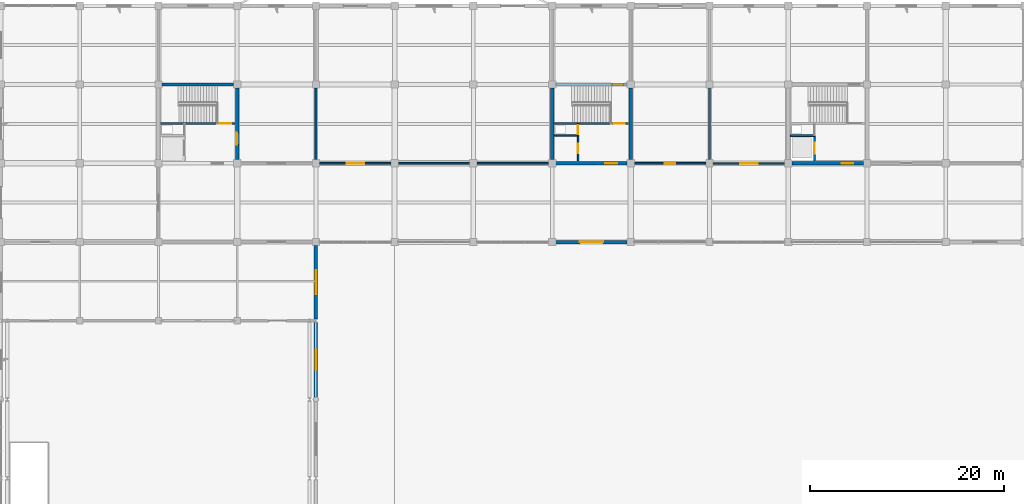
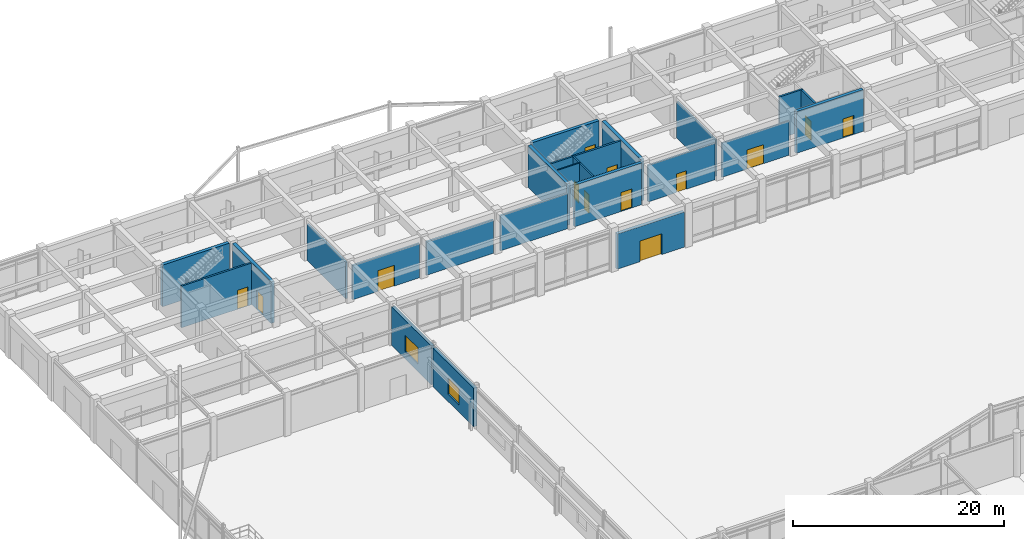
# One storey, part 66 of 99: 24 walls, 13 doors, 2 windows, 15 openings.
"""IFC4 building model written with IfcOpenShell, lengths in metres."""

from ifc_helpers import new_model, si_unit, direction, frame, frame_2d, origin, place, context, subcontext, project, spatial, rectangle, extrude, material, layer, layer_set, type_object, element, fill, save


model = new_model("IFC4")

# Units and contexts
model_context = context("Model", 3, precision=1e-05, world=origin(), true_north=direction((0.0, 1.0)))
body_context = subcontext(model_context, "Body", "Model", "MODEL_VIEW")
ifc_project = project(units=[si_unit("LENGTHUNIT", "METRE"), si_unit("AREAUNIT", "SQUARE_METRE"), si_unit("VOLUMEUNIT", "CUBIC_METRE"), si_unit("PLANEANGLEUNIT", "RADIAN"), si_unit("MASSUNIT", "GRAM", prefix="KILO")], contexts=[model_context])

# Site, building, storey
site_placement = place(None, origin())
site = spatial("IfcSite", under=ifc_project, at=site_placement, CompositionType="ELEMENT")
building_placement = place(site_placement, origin())
building = spatial("IfcBuilding", under=site, at=building_placement, Name="Vaudrelin Polytechnic", CompositionType="ELEMENT")
storey_placement = place(building_placement, origin())
storey = spatial("IfcBuildingStorey", under=building, at=storey_placement, Name="L00", CompositionType="ELEMENT", Elevation=0.0)

# Wall, opening, door
ifc_material_1 = material(Name="Precast concrete 35 MPa with standing-seam zinc rainscreen", Category="concrete")
ifc_layer_1 = layer(ifc_material_1, 0.360107421875)
ifc_layer_set_1 = layer_set([ifc_layer_1], Name="Precast concrete 35 MPa with standing-seam zinc rainscreen")
wall_type_1 = type_object("IfcWallType", Name="WAL-EW-ZINC360", PredefinedType="STANDARD", material=ifc_layer_set_1)
wall_1_placement = place(storey_placement, frame((57.072998046875, 97.199951171875, 0.0), z_axis=(0.0, 0.0, 1.0), x_axis=(1.0, 0.0, 0.0)))
wall_1 = element("IfcWall", 1, at=wall_1_placement, inside=storey, type_object=wall_type_1, Name="Exterior wall L00 CT_N_03", PredefinedType="STANDARD", context=body_context, shape_type="SweptSolid", body=[
    extrude(rectangle(XDim=7.35400390625, YDim=0.360107421875, at=frame_2d((3.677001953125, 0.0))), origin(), (0.0, 0.0, 1.0), 4.072021484375),
])
opening_1_placement = place(wall_1_placement, frame((4.876953125, 0.0, 0.0), z_axis=(0.0, 0.0, 1.0), x_axis=(-1.0, 0.0, 0.0)))
opening_1 = element("IfcOpeningElement", 2, at=opening_1_placement, cuts=wall_1, Name="Opening ED-00-13", PredefinedType="OPENING", context=body_context, shape_type="SweptSolid", body=[
    extrude(rectangle(XDim=2.39990234375, YDim=2.39990234375, at=frame_2d((1.199951171875, 1.199951171875))), frame((0.0, 0.18994140625, 0.0), z_axis=(0.0, -1.0, 0.0), x_axis=(1.0, 0.0, 0.0)), (0.0, 0.0, 1.0), 0.380126953125),
])
ifc_material_2 = material(Name="Thermally broken anodised aluminium AA 6063-T6", Category="aluminium")
door_type_1 = type_object("IfcDoorType", Name="DOR-ED-01", OperationType="DOUBLE_SWING_LEFT", PredefinedType="DOOR", material=ifc_material_2)
door_1_placement = place(opening_1_placement, origin())
door_1 = element("IfcDoor", 3, at=door_1_placement, inside=storey, type_object=door_type_1, Name="Exterior exit door ED-00-13", OperationType="DOUBLE_SWING_LEFT", OverallHeight=2.39990234375, OverallWidth=2.39990234375, PredefinedType="DOOR", context=body_context, shape_type="SweptSolid", body=[
    extrude(rectangle(XDim=2.39990234375, YDim=2.39990234375, at=frame_2d((1.199951171875, 1.199951171875))), frame((0.0, 0.02490234375, 0.0), z_axis=(0.0, -1.0, 0.0), x_axis=(1.0, 0.0, 0.0)), (0.0, 0.0, 1.0), 0.050048828125),
])
fill(opening_1, door_1)

# Wall, opening, window
wall_2_placement = place(storey_placement, frame((32.39990234375, 81.251953125, 0.0), z_axis=(0.0, 0.0, 1.0), x_axis=(0.0, 1.0, 0.0)))
wall_2 = element("IfcWall", 4, at=wall_2_placement, inside=storey, type_object=wall_type_1, Name="Exterior wall L00 CT_W_04", PredefinedType="STANDARD", context=body_context, shape_type="SweptSolid", body=[
    extrude(rectangle(XDim=7.673583984375, YDim=0.360107421875, at=frame_2d((3.8369140625, 0.0))), origin(), (0.0, 0.0, 1.0), 4.464111328125),
])
opening_2_placement = place(wall_2_placement, frame((2.786865234375, 0.0, 0.85009765625)))
opening_2 = element("IfcOpeningElement", 5, at=opening_2_placement, cuts=wall_2, Name="Opening W-L00-CT-W-05", PredefinedType="OPENING", context=body_context, shape_type="SweptSolid", body=[
    extrude(rectangle(XDim=2.10009765625, YDim=1.89990234375, at=frame_2d((1.050048828125, 0.949951171875))), frame((0.0, 0.18994140625, 0.0), z_axis=(0.0, -1.0, 0.0), x_axis=(1.0, 0.0, 0.0)), (0.0, 0.0, 1.0), 0.380126953125),
])
ifc_material_3 = material(Name="Thermally broken aluminium frame with triple low-e glazing", Category="aluminium")
window_type_1 = type_object("IfcWindowType", Name="WIN-WN-26", PartitioningType="SINGLE_PANEL", PredefinedType="WINDOW", material=ifc_material_3)
window_1_placement = place(opening_2_placement, origin())
window_1 = element("IfcWindow", 6, at=window_1_placement, inside=storey, type_object=window_type_1, Name="Facade window L00-CT_W_04", OverallHeight=1.89990234375, OverallWidth=2.10009765625, PartitioningType="SINGLE_PANEL", PredefinedType="WINDOW", context=body_context, shape_type="SweptSolid", body=[
    extrude(rectangle(XDim=2.10009765625, YDim=1.89990234375, at=frame_2d((1.050048828125, 0.949951171875))), frame((0.0, 0.030029296875, 0.0), z_axis=(0.0, -1.0, 0.0), x_axis=(1.0, 0.0, 0.0)), (0.0, 0.0, 1.0), 0.06005859375),
])
fill(opening_2, window_1)

wall_3_placement = place(storey_placement, frame((32.39990234375, 89.2744140625, 0.0), z_axis=(0.0, 0.0, 1.0), x_axis=(0.0, 1.0, 0.0)))
wall_3 = element("IfcWall", 7, at=wall_3_placement, inside=storey, type_object=wall_type_1, Name="Exterior wall L00 CT_W_05", PredefinedType="STANDARD", context=body_context, shape_type="SweptSolid", body=[
    extrude(rectangle(XDim=7.552490234375, YDim=0.360107421875, at=frame_2d((3.7763671875, 0.0))), origin(), (0.0, 0.0, 1.0), 4.486083984375),
])
opening_3_placement = place(wall_3_placement, frame((2.526123046875, 0.0, 0.85009765625)))
opening_3 = element("IfcOpeningElement", 8, at=opening_3_placement, cuts=wall_3, Name="Opening W-L00-CT-W-06", PredefinedType="OPENING", context=body_context, shape_type="SweptSolid", body=[
    extrude(rectangle(XDim=2.5, YDim=1.89990234375, at=frame_2d((1.25, 0.949951171875))), frame((0.0, 0.18994140625, 0.0), z_axis=(0.0, -1.0, 0.0), x_axis=(1.0, 0.0, 0.0)), (0.0, 0.0, 1.0), 0.380126953125),
])
window_type_2 = type_object("IfcWindowType", Name="WIN-WN-27", PartitioningType="SINGLE_PANEL", PredefinedType="WINDOW", material=ifc_material_3)
window_2_placement = place(opening_3_placement, origin())
window_2 = element("IfcWindow", 9, at=window_2_placement, inside=storey, type_object=window_type_2, Name="Facade window L00-CT_W_05", OverallHeight=1.89990234375, OverallWidth=2.5, PartitioningType="SINGLE_PANEL", PredefinedType="WINDOW", context=body_context, shape_type="SweptSolid", body=[
    extrude(rectangle(XDim=2.5, YDim=1.89990234375, at=frame_2d((1.25, 0.949951171875))), frame((0.0, 0.030029296875, 0.0), z_axis=(0.0, -1.0, 0.0), x_axis=(1.0, 0.0, 0.0)), (0.0, 0.0, 1.0), 0.06005859375),
])
fill(opening_3, window_2)

# Wall, opening, door
ifc_material_4 = material(Name="Acoustic double-stud gypsum & mineral-wool partition", Category="gypsum")
ifc_layer_2 = layer(ifc_material_4, 0.179931640625)
ifc_layer_set_2 = layer_set([ifc_layer_2], Name="Acoustic double-stud gypsum & mineral-wool partition")
wall_type_2 = type_object("IfcWallType", Name="WAL-PW-AC180", PredefinedType="PARTITIONING", material=ifc_layer_set_2)
wall_4_placement = place(storey_placement, frame((65.173095703125, 105.300048828125, 0.0), z_axis=(0.0, 0.0, 1.0), x_axis=(1.0, 0.0, 0.0)))
wall_4 = element("IfcWall", 10, at=wall_4_placement, inside=storey, type_object=wall_type_2, Name="Partition L00-017 S", PredefinedType="PARTITIONING", context=body_context, shape_type="SweptSolid", body=[
    extrude(rectangle(XDim=7.35400390625, YDim=0.179931640625, at=frame_2d((3.677001953125, 0.0))), origin(), (0.0, 0.0, 1.0), 4.221923828125),
])
opening_4_placement = place(wall_4_placement, frame((3.136962890625, 0.0, 0.0)))
opening_4 = element("IfcOpeningElement", 11, at=opening_4_placement, cuts=wall_4, Name="Opening D-L00-432", PredefinedType="OPENING", context=body_context, shape_type="SweptSolid", body=[
    extrude(rectangle(XDim=1.080078125, YDim=2.14990234375, at=frame_2d((0.5400390625, 1.074951171875))), frame((0.0, 0.10009765625, 0.0), z_axis=(0.0, -1.0, 0.0), x_axis=(1.0, 0.0, 0.0)), (0.0, 0.0, 1.0), 0.199951171875),
])
ifc_material_5 = material(Name="Solid-core birch veneer acoustic leaf", Category="wood")
door_type_2 = type_object("IfcDoorType", Name="DOR-ID-SEM2", OperationType="NOTDEFINED", PredefinedType="DOOR", material=ifc_material_5)
door_2_placement = place(opening_4_placement, origin())
door_2 = element("IfcDoor", 12, at=door_2_placement, inside=storey, type_object=door_type_2, Name="Seminar Room 001 door L00-017", OperationType="SINGLE_SWING_RIGHT", OverallHeight=2.14990234375, OverallWidth=1.080078125, PredefinedType="DOOR", context=body_context, shape_type="SweptSolid", body=[
    extrude(rectangle(XDim=1.080078125, YDim=2.14990234375, at=frame_2d((0.5400390625, 1.074951171875))), frame((0.0, 0.02490234375, 0.0), z_axis=(0.0, -1.0, 0.0), x_axis=(1.0, 0.0, 0.0)), (0.0, 0.0, 1.0), 0.050048828125),
])
fill(opening_4, door_2)

# Wall
wall_5_placement = place(storey_placement, frame((72.89990234375, 105.673095703125, 0.0), z_axis=(0.0, 0.0, 1.0), x_axis=(0.0, 1.0, 0.0)))
element("IfcWall", 13, at=wall_5_placement, inside=storey, type_object=wall_type_2, Name="Partition L00-017 E", PredefinedType="PARTITIONING", context=body_context, shape_type="SweptSolid", body=[
    extrude(rectangle(XDim=7.35400390625, YDim=0.179931640625, at=frame_2d((3.677001953125, 0.0))), origin(), (0.0, 0.0, 1.0), 4.221923828125),
])

# Wall, opening, door
ifc_material_6 = material(Name="Concrete masonry unit 20 MPa shaft & corridor fire wall", Category="masonry")
ifc_layer_3 = layer(ifc_material_6, 0.199951171875)
ifc_layer_set_3 = layer_set([ifc_layer_3], Name="Concrete masonry unit 20 MPa shaft & corridor fire wall")
wall_type_3 = type_object("IfcWallType", Name="WAL-PW-FIRE120", PredefinedType="PARTITIONING", material=ifc_layer_set_3)
wall_6_placement = place(storey_placement, frame((32.77294921875, 105.300048828125, 0.0), z_axis=(0.0, 0.0, 1.0), x_axis=(1.0, 0.0, 0.0)))
wall_6 = element("IfcWall", 14, at=wall_6_placement, inside=storey, type_object=wall_type_3, Name="Partition L00-015 S", PredefinedType="PARTITIONING", context=body_context, shape_type="SweptSolid", body=[
    extrude(rectangle(XDim=7.35400390625, YDim=0.199951171875, at=frame_2d((3.677001953125, 0.0))), origin(), (0.0, 0.0, 1.0), 3.971923828125),
])
opening_5_placement = place(wall_6_placement, frame((2.777099609375, 0.0, 0.0)))
opening_5 = element("IfcOpeningElement", 15, at=opening_5_placement, cuts=wall_6, Name="Opening D-L00-431", PredefinedType="OPENING", context=body_context, shape_type="SweptSolid", body=[
    extrude(rectangle(XDim=1.800048828125, YDim=2.39990234375, at=frame_2d((0.89990234375, 1.199951171875))), frame((0.0, 0.10986328125, 0.0), z_axis=(0.0, -1.0, 0.0), x_axis=(1.0, 0.0, 0.0)), (0.0, 0.0, 1.0), 0.219970703125),
])
ifc_material_7 = material(Name="Pressed galvanised steel acoustic leaf", Category="steel")
door_type_3 = type_object("IfcDoorType", Name="DOR-ID-WK1", OperationType="NOTDEFINED", PredefinedType="DOOR", material=ifc_material_7)
door_3_placement = place(opening_5_placement, origin())
door_3 = element("IfcDoor", 16, at=door_3_placement, inside=storey, type_object=door_type_3, Name="Timber and Composites Prototyping Workshop door L00-015", OperationType="DOUBLE_SWING_LEFT", OverallHeight=2.39990234375, OverallWidth=1.800048828125, PredefinedType="DOOR", context=body_context, shape_type="SweptSolid", body=[
    extrude(rectangle(XDim=1.800048828125, YDim=2.39990234375, at=frame_2d((0.89990234375, 1.199951171875))), frame((0.0, 0.02490234375, 0.0), z_axis=(0.0, -1.0, 0.0), x_axis=(1.0, 0.0, 0.0)), (0.0, 0.0, 1.0), 0.050048828125),
])
fill(opening_5, door_3)

# Walls
wall_7_placement = place(storey_placement, frame((40.873046875, 105.300048828125, 0.0), z_axis=(0.0, 0.0, 1.0), x_axis=(1.0, 0.0, 0.0)))
element("IfcWall", 17, at=wall_7_placement, inside=storey, type_object=wall_type_3, Name="Partition L00-015 S", PredefinedType="PARTITIONING", context=body_context, shape_type="SweptSolid", body=[
    extrude(rectangle(XDim=7.35400390625, YDim=0.199951171875, at=frame_2d((3.677001953125, 0.0))), origin(), (0.0, 0.0, 1.0), 3.8720703125),
])
wall_8_placement = place(storey_placement, frame((48.972900390625, 105.300048828125, 0.0), z_axis=(0.0, 0.0, 1.0), x_axis=(1.0, 0.0, 0.0)))
element("IfcWall", 18, at=wall_8_placement, inside=storey, type_object=wall_type_3, Name="Partition L00-015 S", PredefinedType="PARTITIONING", context=body_context, shape_type="SweptSolid", body=[
    extrude(rectangle(XDim=7.35400390625, YDim=0.199951171875, at=frame_2d((3.677001953125, 0.0))), origin(), (0.0, 0.0, 1.0), 4.072021484375),
])
wall_9_placement = place(storey_placement, frame((32.39990234375, 105.673095703125, 0.0), z_axis=(0.0, 0.0, 1.0), x_axis=(0.0, 1.0, 0.0)))
element("IfcWall", 19, at=wall_9_placement, inside=storey, type_object=wall_type_3, Name="Partition L00-015 W", PredefinedType="PARTITIONING", context=body_context, shape_type="SweptSolid", body=[
    extrude(rectangle(XDim=7.35400390625, YDim=0.199951171875, at=frame_2d((3.677001953125, 0.0))), origin(), (0.0, 0.0, 1.0), 4.221923828125),
])

# Wall, opening, door
ifc_material_8 = material(Name="Fire-rated steel-stud gypsum compartment wall", Category="steel")
ifc_layer_4 = layer(ifc_material_8, 0.14990234375)
ifc_layer_set_4 = layer_set([ifc_layer_4], Name="Fire-rated steel-stud gypsum compartment wall")
wall_type_4 = type_object("IfcWallType", Name="WAL-PW-FIRE60", PredefinedType="PARTITIONING", material=ifc_layer_set_4)
wall_10_placement = place(storey_placement, frame((59.3798828125, 108.14990234375, 0.0), z_axis=(0.0, 0.0, 1.0), x_axis=(0.0, 1.0, 0.0)))
wall_10 = element("IfcWall", 20, at=wall_10_placement, inside=storey, type_object=wall_type_4, Name="Core C9 riser enclosure wall L00", PredefinedType="PARTITIONING", context=body_context, shape_type="SweptSolid", body=[
    extrude(rectangle(XDim=1.260009765625, YDim=0.14990234375, at=frame_2d((0.6298828125, 0.0))), origin(), (0.0, 0.0, 1.0), 4.822021484375),
])
opening_6_placement = place(wall_10_placement, frame((0.139892578125, 0.0, 0.0)))
opening_6 = element("IfcOpeningElement", 21, at=opening_6_placement, cuts=wall_10, Name="Opening D-L00-181", PredefinedType="OPENING", context=body_context, shape_type="SweptSolid", body=[
    extrude(rectangle(XDim=0.89990234375, YDim=2.14990234375, at=frame_2d((0.449951171875, 1.074951171875))), frame((0.0, 0.0849609375, 0.0), z_axis=(0.0, -1.0, 0.0), x_axis=(1.0, 0.0, 0.0)), (0.0, 0.0, 1.0), 0.169921875),
])
door_type_4 = type_object("IfcDoorType", Name="DOR-ID-RSR1", OperationType="NOTDEFINED", PredefinedType="DOOR", material=ifc_material_7)
door_4_placement = place(opening_6_placement, origin())
door_4 = element("IfcDoor", 22, at=door_4_placement, inside=storey, type_object=door_type_4, Name="Core C9 riser access door L00", OperationType="SINGLE_SWING_RIGHT", OverallHeight=2.14990234375, OverallWidth=0.89990234375, PredefinedType="DOOR", context=body_context, shape_type="SweptSolid", body=[
    extrude(rectangle(XDim=0.89990234375, YDim=2.14990234375, at=frame_2d((0.449951171875, 1.074951171875))), frame((0.0, 0.02490234375, 0.0), z_axis=(0.0, -1.0, 0.0), x_axis=(1.0, 0.0, 0.0)), (0.0, 0.0, 1.0), 0.050048828125),
])
fill(opening_6, door_4)

# Wall
wall_11_placement = place(storey_placement, frame((56.919921875, 108.14990234375, 0.0), z_axis=(0.0, 0.0, 1.0), x_axis=(1.0, 0.0, 0.0)))
element("IfcWall", 23, at=wall_11_placement, inside=storey, type_object=wall_type_4, Name="Core C9 riser south fire wall L00", PredefinedType="PARTITIONING", context=body_context, shape_type="SweptSolid", body=[
    extrude(rectangle(XDim=2.530029296875, YDim=0.14990234375, at=frame_2d((1.26513671875, 0.0))), origin(), (0.0, 0.0, 1.0), 4.822021484375),
])

# Wall, opening, door
wall_12_placement = place(storey_placement, frame((59.3798828125, 105.550048828125, 0.0), z_axis=(0.0, 0.0, 1.0), x_axis=(0.0, 1.0, 0.0)))
wall_12 = element("IfcWall", 24, at=wall_12_placement, inside=storey, type_object=wall_type_4, Name="Core C9 custodial enclosure wall L00", PredefinedType="PARTITIONING", context=body_context, shape_type="SweptSolid", body=[
    extrude(rectangle(XDim=2.599853515625, YDim=0.14990234375, at=frame_2d((1.2998046875, 0.0))), origin(), (0.0, 0.0, 1.0), 4.822021484375),
])
opening_7_placement = place(wall_12_placement, frame((0.800048828125, 0.0, 0.0)))
opening_7 = element("IfcOpeningElement", 25, at=opening_7_placement, cuts=wall_12, Name="Opening D-L00-182", PredefinedType="OPENING", context=body_context, shape_type="SweptSolid", body=[
    extrude(rectangle(XDim=0.949951171875, YDim=2.14990234375, at=frame_2d((0.47509765625, 1.074951171875))), frame((0.0, 0.0849609375, 0.0), z_axis=(0.0, -1.0, 0.0), x_axis=(1.0, 0.0, 0.0)), (0.0, 0.0, 1.0), 0.169921875),
])
door_type_5 = type_object("IfcDoorType", Name="DOR-ID-STR1", OperationType="NOTDEFINED", PredefinedType="DOOR", material=ifc_material_7)
door_5_placement = place(opening_7_placement, origin())
door_5 = element("IfcDoor", 26, at=door_5_placement, inside=storey, type_object=door_type_5, Name="Core C9 custodial door L00", OperationType="SINGLE_SWING_RIGHT", OverallHeight=2.14990234375, OverallWidth=0.949951171875, PredefinedType="DOOR", context=body_context, shape_type="SweptSolid", body=[
    extrude(rectangle(XDim=0.949951171875, YDim=2.14990234375, at=frame_2d((0.47509765625, 1.074951171875))), frame((0.0, 0.02490234375, 0.0), z_axis=(0.0, -1.0, 0.0), x_axis=(1.0, 0.0, 0.0)), (0.0, 0.0, 1.0), 0.050048828125),
])
fill(opening_7, door_5)

wall_13_placement = place(storey_placement, frame((73.27294921875, 105.300048828125, 0.0), z_axis=(0.0, 0.0, 1.0), x_axis=(1.0, 0.0, 0.0)))
wall_13 = element("IfcWall", 27, at=wall_13_placement, inside=storey, type_object=wall_type_4, Name="Interior partition L00 9-13 to 10-13", PredefinedType="PARTITIONING", context=body_context, shape_type="SweptSolid", body=[
    extrude(rectangle(XDim=7.35400390625, YDim=0.14990234375, at=frame_2d((3.677001953125, 0.0))), origin(), (0.0, 0.0, 1.0), 3.971923828125),
])
opening_8_placement = place(wall_13_placement, frame((2.777099609375, 0.0, 0.0)))
opening_8 = element("IfcOpeningElement", 28, at=opening_8_placement, cuts=wall_13, Name="Opening D-L00-588", PredefinedType="OPENING", context=body_context, shape_type="SweptSolid", body=[
    extrude(rectangle(XDim=1.800048828125, YDim=2.199951171875, at=frame_2d((0.89990234375, 1.10009765625))), frame((0.0, 0.0849609375, 0.0), z_axis=(0.0, -1.0, 0.0), x_axis=(1.0, 0.0, 0.0)), (0.0, 0.0, 1.0), 0.169921875),
])
door_type_6 = type_object("IfcDoorType", Name="DOR-ID-DBL1", OperationType="NOTDEFINED", PredefinedType="DOOR", material=ifc_material_7)
door_6_placement = place(opening_8_placement, origin())
door_6 = element("IfcDoor", 29, at=door_6_placement, inside=storey, type_object=door_type_6, Name="North-central exit vestibule concourse door L00", OperationType="DOUBLE_SWING_LEFT", OverallHeight=2.199951171875, OverallWidth=1.800048828125, PredefinedType="DOOR", context=body_context, shape_type="SweptSolid", body=[
    extrude(rectangle(XDim=1.800048828125, YDim=2.199951171875, at=frame_2d((0.89990234375, 1.10009765625))), frame((0.0, 0.02490234375, 0.0), z_axis=(0.0, -1.0, 0.0), x_axis=(1.0, 0.0, 0.0)), (0.0, 0.0, 1.0), 0.050048828125),
])
fill(opening_8, door_6)

ifc_material_9 = material(Name="Concrete 40 MPa", Category="concrete")
ifc_layer_5 = layer(ifc_material_9, 0.199951171875)
ifc_layer_set_5 = layer_set([ifc_layer_5], Name="Concrete 40 MPa")
wall_type_5 = type_object("IfcWallType", Name="WAL-SW-CORE200", PredefinedType="SHEAR", material=ifc_layer_set_5)
wall_14_placement = place(storey_placement, frame((16.419921875, 109.409912109375, 0.0), z_axis=(0.0, 0.0, 1.0), x_axis=(1.0, 0.0, 0.0)))
wall_14 = element("IfcWall", 30, at=wall_14_placement, inside=storey, type_object=wall_type_5, Name="Core C1 stair enclosure wall L00", PredefinedType="SHEAR", context=body_context, shape_type="SweptSolid", body=[
    extrude(rectangle(XDim=7.66015625, YDim=0.199951171875, at=frame_2d((3.830078125, 0.0))), origin(), (0.0, 0.0, 1.0), 4.822021484375),
])
opening_9_placement = place(wall_14_placement, frame((6.110107421875, 0.0, 0.0)))
opening_9 = element("IfcOpeningElement", 31, at=opening_9_placement, cuts=wall_14, Name="Opening D-L00-006", PredefinedType="OPENING", context=body_context, shape_type="SweptSolid", body=[
    extrude(rectangle(XDim=1.14990234375, YDim=2.199951171875, at=frame_2d((0.574951171875, 1.10009765625))), frame((0.0, 0.10986328125, 0.0), z_axis=(0.0, -1.0, 0.0), x_axis=(1.0, 0.0, 0.0)), (0.0, 0.0, 1.0), 0.219970703125),
])
door_type_7 = type_object("IfcDoorType", Name="DOR-ID-ST1", OperationType="NOTDEFINED", PredefinedType="DOOR", material=ifc_material_7)
door_7_placement = place(opening_9_placement, origin())
door_7 = element("IfcDoor", 32, at=door_7_placement, inside=storey, type_object=door_type_7, Name="Core C1 exit stair door L00", OperationType="SINGLE_SWING_LEFT", OverallHeight=2.199951171875, OverallWidth=1.14990234375, PredefinedType="DOOR", context=body_context, shape_type="SweptSolid", body=[
    extrude(rectangle(XDim=1.14990234375, YDim=2.199951171875, at=frame_2d((0.574951171875, 1.10009765625))), frame((0.0, 0.02490234375, 0.0), z_axis=(0.0, -1.0, 0.0), x_axis=(1.0, 0.0, 0.0)), (0.0, 0.0, 1.0), 0.050048828125),
])
fill(opening_9, door_7)

wall_15_placement = place(storey_placement, frame((83.679931640625, 105.550048828125, 0.0), z_axis=(0.0, 0.0, 1.0), x_axis=(0.0, 1.0, 0.0)))
wall_15 = element("IfcWall", 33, at=wall_15_placement, inside=storey, type_object=wall_type_5, Name="Lift LF-02 shaft front wall L00", PredefinedType="SHEAR", context=body_context, shape_type="SweptSolid", body=[
    extrude(rectangle(XDim=2.599853515625, YDim=0.199951171875, at=frame_2d((1.2998046875, 0.0))), origin(), (0.0, 0.0, 1.0), 4.822021484375),
])
opening_10_placement = place(wall_15_placement, frame((0.75, 0.0, 0.0)))
opening_10 = element("IfcOpeningElement", 34, at=opening_10_placement, cuts=wall_15, Name="Opening LD-LF-02-L00", PredefinedType="OPENING", context=body_context, shape_type="SweptSolid", body=[
    extrude(rectangle(XDim=1.10009765625, YDim=2.199951171875, at=frame_2d((0.550048828125, 1.10009765625))), frame((0.0, 0.10986328125, 0.0), z_axis=(0.0, -1.0, 0.0), x_axis=(1.0, 0.0, 0.0)), (0.0, 0.0, 1.0), 0.219970703125),
])
ifc_material_10 = material(Name="Brushed stainless steel AISI 304", Category="steel")
door_type_8 = type_object("IfcDoorType", Name="DOR-LD-PAX", OperationType="SLIDING_TO_LEFT", PredefinedType="DOOR", material=ifc_material_10)
door_8_placement = place(opening_10_placement, origin())
door_8 = element("IfcDoor", 35, at=door_8_placement, inside=storey, type_object=door_type_8, Name="Lift LF-02 landing door L00", OperationType="SLIDING_TO_LEFT", OverallHeight=2.199951171875, OverallWidth=1.10009765625, PredefinedType="DOOR", context=body_context, shape_type="SweptSolid", body=[
    extrude(rectangle(XDim=1.10009765625, YDim=2.199951171875, at=frame_2d((0.550048828125, 1.10009765625))), frame((0.0, 0.02490234375, 0.0), z_axis=(0.0, -1.0, 0.0), x_axis=(1.0, 0.0, 0.0)), (0.0, 0.0, 1.0), 0.050048828125),
])
fill(opening_10, door_8)

# Wall
wall_16_placement = place(storey_placement, frame((81.219970703125, 108.14990234375, 0.0), z_axis=(0.0, 0.0, 1.0), x_axis=(1.0, 0.0, 0.0)))
element("IfcWall", 36, at=wall_16_placement, inside=storey, type_object=wall_type_5, Name="Lift LF-02 shaft north wall L00", PredefinedType="SHEAR", context=body_context, shape_type="SweptSolid", body=[
    extrude(rectangle(XDim=2.56005859375, YDim=0.199951171875, at=frame_2d((1.280029296875, 0.0))), origin(), (0.0, 0.0, 1.0), 4.822021484375),
])

# Wall, opening, door
wall_17_placement = place(storey_placement, frame((56.919921875, 109.409912109375, 0.0), z_axis=(0.0, 0.0, 1.0), x_axis=(1.0, 0.0, 0.0)))
wall_17 = element("IfcWall", 37, at=wall_17_placement, inside=storey, type_object=wall_type_5, Name="Core C9 stair enclosure wall L00", PredefinedType="SHEAR", context=body_context, shape_type="SweptSolid", body=[
    extrude(rectangle(XDim=7.66015625, YDim=0.199951171875, at=frame_2d((3.830078125, 0.0))), origin(), (0.0, 0.0, 1.0), 4.822021484375),
])
opening_11_placement = place(wall_17_placement, frame((6.110107421875, 0.0, 0.0)))
opening_11 = element("IfcOpeningElement", 38, at=opening_11_placement, cuts=wall_17, Name="Opening D-L00-180", PredefinedType="OPENING", context=body_context, shape_type="SweptSolid", body=[
    extrude(rectangle(XDim=1.14990234375, YDim=2.199951171875, at=frame_2d((0.574951171875, 1.10009765625))), frame((0.0, 0.10986328125, 0.0), z_axis=(0.0, -1.0, 0.0), x_axis=(1.0, 0.0, 0.0)), (0.0, 0.0, 1.0), 0.219970703125),
])
door_9_placement = place(opening_11_placement, origin())
door_9 = element("IfcDoor", 39, at=door_9_placement, inside=storey, type_object=door_type_7, Name="Core C9 exit stair door L00", OperationType="SINGLE_SWING_LEFT", OverallHeight=2.199951171875, OverallWidth=1.14990234375, PredefinedType="DOOR", context=body_context, shape_type="SweptSolid", body=[
    extrude(rectangle(XDim=1.14990234375, YDim=2.199951171875, at=frame_2d((0.574951171875, 1.10009765625))), frame((0.0, 0.02490234375, 0.0), z_axis=(0.0, -1.0, 0.0), x_axis=(1.0, 0.0, 0.0)), (0.0, 0.0, 1.0), 0.050048828125),
])
fill(opening_11, door_9)

# Wall
ifc_material_11 = material(Name="Concrete 50 MPa", Category="concrete")
ifc_layer_6 = layer(ifc_material_11, 0.35009765625)
ifc_layer_set_6 = layer_set([ifc_layer_6], Name="Concrete 50 MPa")
wall_type_6 = type_object("IfcWallType", Name="WAL-SW-CORE350", PredefinedType="SHEAR", material=ifc_layer_set_6)
wall_18_placement = place(storey_placement, frame((16.572998046875, 113.39990234375, 0.0), z_axis=(0.0, 0.0, 1.0), x_axis=(1.0, 0.0, 0.0)))
element("IfcWall", 40, at=wall_18_placement, inside=storey, type_object=wall_type_6, Name="Core C1 N shear wall L00", PredefinedType="SHEAR", context=body_context, shape_type="SweptSolid", body=[
    extrude(rectangle(XDim=7.35400390625, YDim=0.35009765625, at=frame_2d((3.677001953125, 0.0))), origin(), (0.0, 0.0, 1.0), 4.822021484375),
])

# Wall, opening, door
wall_19_placement = place(storey_placement, frame((24.300048828125, 105.673095703125, 0.0), z_axis=(0.0, 0.0, 1.0), x_axis=(0.0, 1.0, 0.0)))
wall_19 = element("IfcWall", 41, at=wall_19_placement, inside=storey, type_object=wall_type_6, Name="Core C1 E shear wall L00", PredefinedType="SHEAR", context=body_context, shape_type="SweptSolid", body=[
    extrude(rectangle(XDim=7.35400390625, YDim=0.35009765625, at=frame_2d((3.677001953125, 0.0))), origin(), (0.0, 0.0, 1.0), 4.822021484375),
])
opening_12_placement = place(wall_19_placement, frame((2.75, 0.0, 0.0), z_axis=(0.0, 0.0, 1.0), x_axis=(-1.0, 0.0, 0.0)))
opening_12 = element("IfcOpeningElement", 42, at=opening_12_placement, cuts=wall_19, Name="Opening D-L00-004", PredefinedType="OPENING", context=body_context, shape_type="SweptSolid", body=[
    extrude(rectangle(XDim=1.199951171875, YDim=2.199951171875, at=frame_2d((0.60009765625, 1.10009765625))), frame((0.0, 0.18505859375, 0.0), z_axis=(0.0, -1.0, 0.0), x_axis=(1.0, 0.0, 0.0)), (0.0, 0.0, 1.0), 0.3701171875),
])
door_type_9 = type_object("IfcDoorType", Name="DOR-ID-LB1", OperationType="NOTDEFINED", PredefinedType="DOOR", material=ifc_material_7)
door_10_placement = place(opening_12_placement, origin())
door_10 = element("IfcDoor", 43, at=door_10_placement, inside=storey, type_object=door_type_9, Name="Core C1 lobby fire door L00-E", OperationType="SINGLE_SWING_LEFT", OverallHeight=2.199951171875, OverallWidth=1.199951171875, PredefinedType="DOOR", context=body_context, shape_type="SweptSolid", body=[
    extrude(rectangle(XDim=1.199951171875, YDim=2.199951171875, at=frame_2d((0.60009765625, 1.10009765625))), frame((0.0, 0.02490234375, 0.0), z_axis=(0.0, -1.0, 0.0), x_axis=(1.0, 0.0, 0.0)), (0.0, 0.0, 1.0), 0.050048828125),
])
fill(opening_12, door_10)

wall_20_placement = place(storey_placement, frame((81.373046875, 105.300048828125, 0.0), z_axis=(0.0, 0.0, 1.0), x_axis=(1.0, 0.0, 0.0)))
wall_20 = element("IfcWall", 44, at=wall_20_placement, inside=storey, type_object=wall_type_6, Name="Core C2 S shear wall L00", PredefinedType="SHEAR", context=body_context, shape_type="SweptSolid", body=[
    extrude(rectangle(XDim=7.35400390625, YDim=0.35009765625, at=frame_2d((3.677001953125, 0.0))), origin(), (0.0, 0.0, 1.0), 4.822021484375),
])
opening_13_placement = place(wall_20_placement, frame((5.10400390625, 0.0, 0.0)))
opening_13 = element("IfcOpeningElement", 45, at=opening_13_placement, cuts=wall_20, Name="Opening D-L00-027", PredefinedType="OPENING", context=body_context, shape_type="SweptSolid", body=[
    extrude(rectangle(XDim=1.199951171875, YDim=2.199951171875, at=frame_2d((0.60009765625, 1.10009765625))), frame((0.0, 0.18505859375, 0.0), z_axis=(0.0, -1.0, 0.0), x_axis=(1.0, 0.0, 0.0)), (0.0, 0.0, 1.0), 0.3701171875),
])
door_11_placement = place(opening_13_placement, origin())
door_11 = element("IfcDoor", 46, at=door_11_placement, inside=storey, type_object=door_type_9, Name="Core C2 lobby fire door L00", OperationType="SINGLE_SWING_LEFT", OverallHeight=2.199951171875, OverallWidth=1.199951171875, PredefinedType="DOOR", context=body_context, shape_type="SweptSolid", body=[
    extrude(rectangle(XDim=1.199951171875, YDim=2.199951171875, at=frame_2d((0.60009765625, 1.10009765625))), frame((0.0, 0.02490234375, 0.0), z_axis=(0.0, -1.0, 0.0), x_axis=(1.0, 0.0, 0.0)), (0.0, 0.0, 1.0), 0.050048828125),
])
fill(opening_13, door_11)

wall_21_placement = place(storey_placement, frame((57.072998046875, 113.39990234375, 0.0), z_axis=(0.0, 0.0, 1.0), x_axis=(1.0, 0.0, 0.0)))
wall_21 = element("IfcWall", 47, at=wall_21_placement, inside=storey, type_object=wall_type_6, Name="Core C9 N shear wall L00", PredefinedType="SHEAR", context=body_context, shape_type="SweptSolid", body=[
    extrude(rectangle(XDim=7.35400390625, YDim=0.35009765625, at=frame_2d((3.677001953125, 0.0))), origin(), (0.0, 0.0, 1.0), 4.822021484375),
])
opening_14_placement = place(wall_21_placement, frame((5.826904296875, 0.0, 0.0)))
opening_14 = element("IfcOpeningElement", 48, at=opening_14_placement, cuts=wall_21, Name="Opening D-L00-178", PredefinedType="OPENING", context=body_context, shape_type="SweptSolid", body=[
    extrude(rectangle(XDim=1.14990234375, YDim=2.199951171875, at=frame_2d((0.574951171875, 1.10009765625))), frame((0.0, 0.18505859375, 0.0), z_axis=(0.0, -1.0, 0.0), x_axis=(1.0, 0.0, 0.0)), (0.0, 0.0, 1.0), 0.3701171875),
])
door_12_placement = place(opening_14_placement, origin())
door_12 = element("IfcDoor", 49, at=door_12_placement, inside=storey, type_object=door_type_7, Name="Core C9 ground exit discharge door L00", OperationType="SINGLE_SWING_LEFT", OverallHeight=2.199951171875, OverallWidth=1.14990234375, PredefinedType="DOOR", context=body_context, shape_type="SweptSolid", body=[
    extrude(rectangle(XDim=1.14990234375, YDim=2.199951171875, at=frame_2d((0.574951171875, 1.10009765625))), frame((0.0, 0.02490234375, 0.0), z_axis=(0.0, -1.0, 0.0), x_axis=(1.0, 0.0, 0.0)), (0.0, 0.0, 1.0), 0.050048828125),
])
fill(opening_14, door_12)

# Walls
for number, where, z_axis, x_axis, name in (
    (50, (56.699951171875, 105.673095703125, 0.0), (0.0, 0.0, 1.0), (0.0, 1.0, 0.0), "Core C9 W shear wall L00"),
    (51, (64.800048828125, 105.673095703125, 0.0), (0.0, 0.0, 1.0), (0.0, 1.0, 0.0), "Core C9 E shear wall L00"),
):
    element("IfcWall", number, at=place(storey_placement, frame(where, z_axis=z_axis, x_axis=x_axis)), inside=storey, type_object=wall_type_6, Name=name, PredefinedType="SHEAR", context=body_context, shape_type="SweptSolid", body=[
        extrude(rectangle(XDim=7.35400390625, YDim=0.35009765625, at=frame_2d((3.677001953125, 0.0))), origin(), (0.0, 0.0, 1.0), 4.822021484375),
    ])

# Wall, opening, door
wall_22_placement = place(storey_placement, frame((57.072998046875, 105.300048828125, 0.0), z_axis=(0.0, 0.0, 1.0), x_axis=(1.0, 0.0, 0.0)))
wall_22 = element("IfcWall", 52, at=wall_22_placement, inside=storey, type_object=wall_type_6, Name="Core C9 S shear wall L00", PredefinedType="SHEAR", context=body_context, shape_type="SweptSolid", body=[
    extrude(rectangle(XDim=7.35400390625, YDim=0.35009765625, at=frame_2d((3.677001953125, 0.0))), origin(), (0.0, 0.0, 1.0), 4.822021484375),
])
opening_15_placement = place(wall_22_placement, frame((5.10400390625, 0.0, 0.0)))
opening_15 = element("IfcOpeningElement", 53, at=opening_15_placement, cuts=wall_22, Name="Opening D-L00-179", PredefinedType="OPENING", context=body_context, shape_type="SweptSolid", body=[
    extrude(rectangle(XDim=1.199951171875, YDim=2.199951171875, at=frame_2d((0.60009765625, 1.10009765625))), frame((0.0, 0.18505859375, 0.0), z_axis=(0.0, -1.0, 0.0), x_axis=(1.0, 0.0, 0.0)), (0.0, 0.0, 1.0), 0.3701171875),
])
door_13_placement = place(opening_15_placement, origin())
door_13 = element("IfcDoor", 54, at=door_13_placement, inside=storey, type_object=door_type_9, Name="Core C9 lobby fire door L00", OperationType="SINGLE_SWING_RIGHT", OverallHeight=2.199951171875, OverallWidth=1.199951171875, PredefinedType="DOOR", context=body_context, shape_type="SweptSolid", body=[
    extrude(rectangle(XDim=1.199951171875, YDim=2.199951171875, at=frame_2d((0.60009765625, 1.10009765625))), frame((0.0, 0.02490234375, 0.0), z_axis=(0.0, -1.0, 0.0), x_axis=(1.0, 0.0, 0.0)), (0.0, 0.0, 1.0), 0.050048828125),
])
fill(opening_15, door_13)

save(model, "model.ifc")
